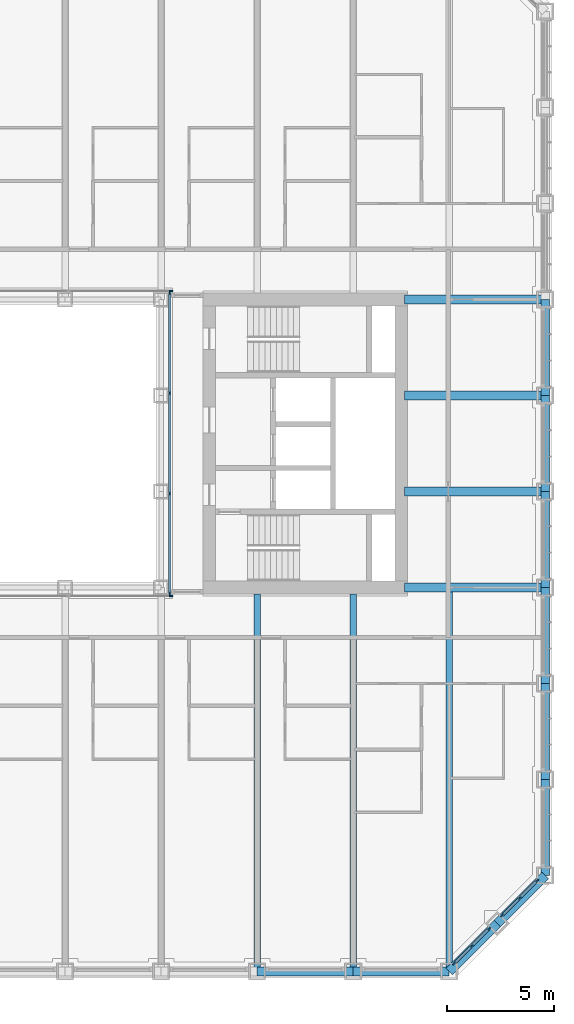
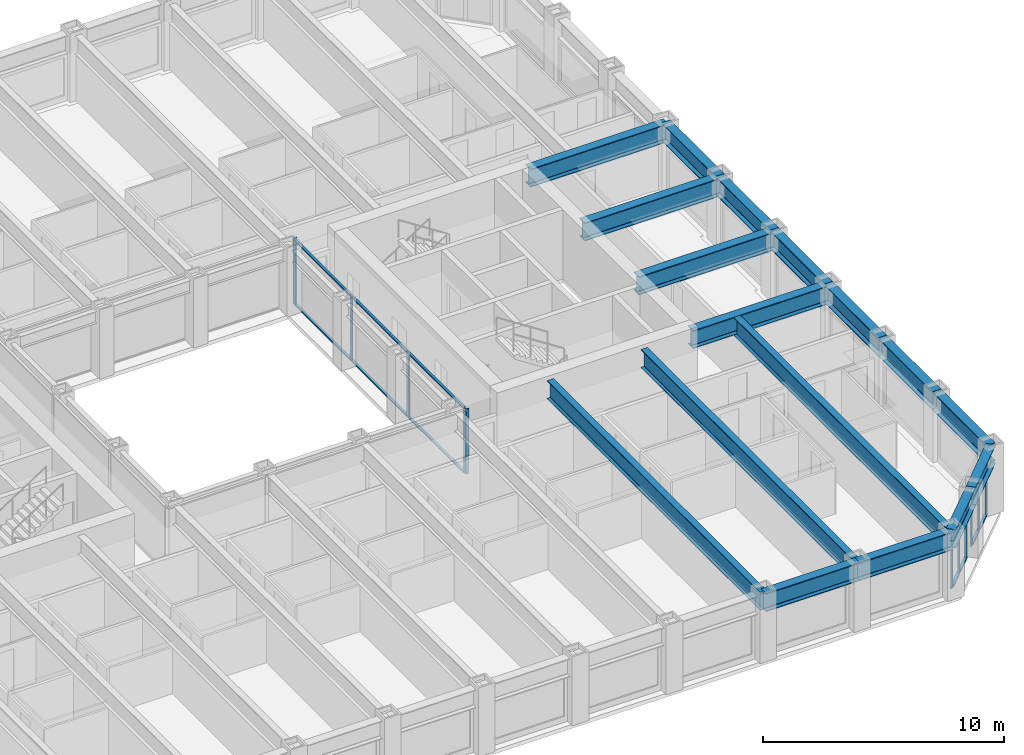
# One storey, part 5 of 21: 26 members, 17 beams, 5 elements without a shape of their own.
"""IFC4 building model written with IfcOpenShell, lengths in metres."""

from ifc_helpers import new_model, si_unit, direction, frame, origin, origin_2d, place, context, subcontext, project, spatial, rectangle, i_section, extrude, material, material_profile, profile_set, type_object, element, aggregate, save


model = new_model("IFC4")

# Units and contexts
model_context = context("Model", 3, precision=1e-05, world=origin(), true_north=direction((0.0, 1.0)))
body_context = subcontext(model_context, "Body", "Model", "MODEL_VIEW")
ifc_project = project(units=[si_unit("LENGTHUNIT", "METRE"), si_unit("AREAUNIT", "SQUARE_METRE"), si_unit("VOLUMEUNIT", "CUBIC_METRE"), si_unit("PLANEANGLEUNIT", "RADIAN"), si_unit("MASSUNIT", "GRAM", prefix="KILO")], contexts=[model_context])

# Site, building, storey
site_placement = place(None, origin())
site = spatial("IfcSite", under=ifc_project, at=site_placement, CompositionType="ELEMENT")
building_placement = place(site_placement, origin())
building = spatial("IfcBuilding", under=site, at=building_placement, Name="Msasa Ring Tower", CompositionType="ELEMENT")
storey_placement = place(building_placement, frame((0.0, 0.0, 30.0)))
storey = spatial("IfcBuildingStorey", under=building, at=storey_placement, Name="L06", CompositionType="ELEMENT", Elevation=30.0)

# Curtain wall, members
ifc_material_1 = material(Name="Aluminium curtain wall with clear glass", Category="aluminium")
curtain_wall_type_1 = type_object("IfcCurtainWallType", Name="CW-C CHAMFER CORNER CURTAIN WALL", PredefinedType="NOTDEFINED", material=ifc_material_1)
curtain_wall_1_placement = place(storey_placement, origin())
curtain_wall_1 = element("IfcCurtainWall", 1, at=curtain_wall_1_placement, inside=storey, type_object=curtain_wall_type_1, Name="Chamfer corner curtain wall SE L06", PredefinedType="NOTDEFINED")
ifc_material_2 = material(Name="Aluminium mullion", Category="aluminium")
ifc_material_profile_1 = material_profile(ifc_material_2, rectangle(XDim=0.06494140625, YDim=0.179931640625, at=origin_2d()), Name="AL 65x180")
ifc_profile_set_1 = profile_set([ifc_material_profile_1], Name="Aluminium mullion")
member_type_1 = type_object("IfcMemberType", Name="CW-C MULLION 65x180", PredefinedType="MULLION", material=ifc_profile_set_1)
member_1_placement = place(storey_placement, frame((20.48876953125, -24.369873046875, 0.0), z_axis=(0.0, 0.0, 1.0), x_axis=(-0.707106781187, 0.707106781187, 0.0)))
member_1 = element("IfcMember", 2, at=member_1_placement, type_object=member_type_1, Name="CW-C mullion 1", PredefinedType="MULLION", context=body_context, shape_type="SweptSolid", body=[
    extrude(rectangle(XDim=0.06494140625, YDim=0.179931640625, at=origin_2d()), origin(), (0.0, 0.0, 1.0), 2.37890625),
])
member_2_placement = place(storey_placement, frame((21.30419921875, -23.55419921875, 0.0), z_axis=(0.0, 0.0, 1.0), x_axis=(-0.707106781187, 0.707106781187, 0.0)))
member_2 = element("IfcMember", 3, at=member_2_placement, type_object=member_type_1, Name="CW-C mullion 2", PredefinedType="MULLION", context=body_context, shape_type="SweptSolid", body=[
    extrude(rectangle(XDim=0.06494140625, YDim=0.179931640625, at=origin_2d()), origin(), (0.0, 0.0, 1.0), 2.37890625),
])
member_3_placement = place(storey_placement, frame((22.119873046875, -22.73876953125, 0.0), z_axis=(0.0, 0.0, 1.0), x_axis=(-0.707106781187, 0.707106781187, 0.0)))
member_3 = element("IfcMember", 4, at=member_3_placement, type_object=member_type_1, Name="CW-C mullion 3", PredefinedType="MULLION", context=body_context, shape_type="SweptSolid", body=[
    extrude(rectangle(XDim=0.06494140625, YDim=0.179931640625, at=origin_2d()), origin(), (0.0, 0.0, 1.0), 2.37890625),
])

curtain_wall_2_placement = place(storey_placement, origin())
curtain_wall_2 = element("IfcCurtainWall", 5, at=curtain_wall_2_placement, inside=storey, type_object=curtain_wall_type_1, Name="Chamfer corner curtain wall SE L06", PredefinedType="NOTDEFINED")
member_4_placement = place(storey_placement, frame((22.73876953125, -22.119873046875, 0.0), z_axis=(0.0, 0.0, 1.0), x_axis=(-0.707106781187, 0.707106781187, 0.0)))
member_4 = element("IfcMember", 6, at=member_4_placement, type_object=member_type_1, Name="CW-C mullion 1", PredefinedType="MULLION", context=body_context, shape_type="SweptSolid", body=[
    extrude(rectangle(XDim=0.06494140625, YDim=0.179931640625, at=origin_2d()), origin(), (0.0, 0.0, 1.0), 2.37890625),
])
member_5_placement = place(storey_placement, frame((23.55419921875, -21.30419921875, 0.0), z_axis=(0.0, 0.0, 1.0), x_axis=(-0.707106781187, 0.707106781187, 0.0)))
member_5 = element("IfcMember", 7, at=member_5_placement, type_object=member_type_1, Name="CW-C mullion 2", PredefinedType="MULLION", context=body_context, shape_type="SweptSolid", body=[
    extrude(rectangle(XDim=0.06494140625, YDim=0.179931640625, at=origin_2d()), origin(), (0.0, 0.0, 1.0), 2.37890625),
])
member_6_placement = place(storey_placement, frame((24.369873046875, -20.48876953125, 0.0), z_axis=(0.0, 0.0, 1.0), x_axis=(-0.707106781187, 0.707106781187, 0.0)))
member_6 = element("IfcMember", 8, at=member_6_placement, type_object=member_type_1, Name="CW-C mullion 3", PredefinedType="MULLION", context=body_context, shape_type="SweptSolid", body=[
    extrude(rectangle(XDim=0.06494140625, YDim=0.179931640625, at=origin_2d()), origin(), (0.0, 0.0, 1.0), 2.37890625),
])

# Member
ifc_material_3 = material(Name="Aluminium transom", Category="aluminium")
ifc_material_profile_2 = material_profile(ifc_material_3, rectangle(XDim=0.139892578125, YDim=0.06494140625, at=origin_2d()), Name="AL 65x140")
ifc_profile_set_2 = profile_set([ifc_material_profile_2], Name="Aluminium transom")
member_type_2 = type_object("IfcMemberType", Name="CW-C TRANSOM 65x140", PredefinedType="USERDEFINED", material=ifc_profile_set_2)
member_7_placement = place(storey_placement, frame((20.51171875, -24.346923828125, 0.032470703125), z_axis=(0.707106781187, 0.707106781187, 0.0), x_axis=(-0.707106781187, 0.707106781187, 0.0)))
member_7 = element("IfcMember", 9, at=member_7_placement, type_object=member_type_2, Name="CW-C transom 1.1", ObjectType="TRANSOM", PredefinedType="USERDEFINED", context=body_context, shape_type="SweptSolid", body=[
    extrude(rectangle(XDim=0.139892578125, YDim=0.06494140625, at=origin_2d()), origin(), (0.0, 0.0, 1.0), 1.08837890625),
])

member_8_placement = place(storey_placement, frame((20.51171875, -24.346923828125, 2.346435546875), z_axis=(0.707106781187, 0.707106781187, 0.0), x_axis=(-0.707106781187, 0.707106781187, 0.0)))
member_8 = element("IfcMember", 10, at=member_8_placement, type_object=member_type_2, Name="CW-C transom 1.2", ObjectType="TRANSOM", PredefinedType="USERDEFINED", context=body_context, shape_type="SweptSolid", body=[
    extrude(rectangle(XDim=0.139892578125, YDim=0.06494140625, at=origin_2d()), origin(), (0.0, 0.0, 1.0), 1.08837890625),
])

member_9_placement = place(storey_placement, frame((21.327392578125, -23.53125, 0.032470703125), z_axis=(0.707106781187, 0.707106781187, 0.0), x_axis=(-0.707106781187, 0.707106781187, 0.0)))
member_9 = element("IfcMember", 11, at=member_9_placement, type_object=member_type_2, Name="CW-C transom 2.1", ObjectType="TRANSOM", PredefinedType="USERDEFINED", context=body_context, shape_type="SweptSolid", body=[
    extrude(rectangle(XDim=0.139892578125, YDim=0.06494140625, at=origin_2d()), origin(), (0.0, 0.0, 1.0), 1.08837890625),
])

member_10_placement = place(storey_placement, frame((21.327392578125, -23.53125, 2.346435546875), z_axis=(0.707106781187, 0.707106781187, 0.0), x_axis=(-0.707106781187, 0.707106781187, 0.0)))
member_10 = element("IfcMember", 12, at=member_10_placement, type_object=member_type_2, Name="CW-C transom 2.2", ObjectType="TRANSOM", PredefinedType="USERDEFINED", context=body_context, shape_type="SweptSolid", body=[
    extrude(rectangle(XDim=0.139892578125, YDim=0.06494140625, at=origin_2d()), origin(), (0.0, 0.0, 1.0), 1.08837890625),
])

aggregate(curtain_wall_1, [member_1, member_2, member_3, member_7, member_8, member_9, member_10])

member_11_placement = place(storey_placement, frame((22.76171875, -22.096923828125, 0.032470703125), z_axis=(0.707106781187, 0.707106781187, 0.0), x_axis=(-0.707106781187, 0.707106781187, 0.0)))
member_11 = element("IfcMember", 13, at=member_11_placement, type_object=member_type_2, Name="CW-C transom 1.1", ObjectType="TRANSOM", PredefinedType="USERDEFINED", context=body_context, shape_type="SweptSolid", body=[
    extrude(rectangle(XDim=0.139892578125, YDim=0.06494140625, at=origin_2d()), origin(), (0.0, 0.0, 1.0), 1.08837890625),
])

member_12_placement = place(storey_placement, frame((22.76171875, -22.096923828125, 2.346435546875), z_axis=(0.707106781187, 0.707106781187, 0.0), x_axis=(-0.707106781187, 0.707106781187, 0.0)))
member_12 = element("IfcMember", 14, at=member_12_placement, type_object=member_type_2, Name="CW-C transom 1.2", ObjectType="TRANSOM", PredefinedType="USERDEFINED", context=body_context, shape_type="SweptSolid", body=[
    extrude(rectangle(XDim=0.139892578125, YDim=0.06494140625, at=origin_2d()), origin(), (0.0, 0.0, 1.0), 1.08837890625),
])

member_13_placement = place(storey_placement, frame((23.577392578125, -21.28125, 0.032470703125), z_axis=(0.707106781187, 0.707106781187, 0.0), x_axis=(-0.707106781187, 0.707106781187, 0.0)))
member_13 = element("IfcMember", 15, at=member_13_placement, type_object=member_type_2, Name="CW-C transom 2.1", ObjectType="TRANSOM", PredefinedType="USERDEFINED", context=body_context, shape_type="SweptSolid", body=[
    extrude(rectangle(XDim=0.139892578125, YDim=0.06494140625, at=origin_2d()), origin(), (0.0, 0.0, 1.0), 1.08837890625),
])

member_14_placement = place(storey_placement, frame((23.577392578125, -21.28125, 2.346435546875), z_axis=(0.707106781187, 0.707106781187, 0.0), x_axis=(-0.707106781187, 0.707106781187, 0.0)))
member_14 = element("IfcMember", 16, at=member_14_placement, type_object=member_type_2, Name="CW-C transom 2.2", ObjectType="TRANSOM", PredefinedType="USERDEFINED", context=body_context, shape_type="SweptSolid", body=[
    extrude(rectangle(XDim=0.139892578125, YDim=0.06494140625, at=origin_2d()), origin(), (0.0, 0.0, 1.0), 1.08837890625),
])

aggregate(curtain_wall_2, [member_4, member_5, member_6, member_11, member_12, member_13, member_14])

# Curtain wall, member
ifc_material_4 = material(Name="Aluminium curtain wall with clear glass", Category="aluminium")
curtain_wall_type_2 = type_object("IfcCurtainWallType", Name="CW-W LIGHT WELL CURTAIN WALL", PredefinedType="NOTDEFINED", material=ifc_material_4)
curtain_wall_3_placement = place(storey_placement, origin())
curtain_wall_3 = element("IfcCurtainWall", 17, at=curtain_wall_3_placement, inside=storey, type_object=curtain_wall_type_2, Name="Light well curtain wall N L06", PredefinedType="NOTDEFINED")
ifc_material_5 = material(Name="Aluminium mullion", Category="aluminium")
ifc_material_profile_3 = material_profile(ifc_material_5, rectangle(XDim=0.06005859375, YDim=0.159912109375, at=origin_2d()), Name="AL 60x160")
ifc_profile_set_3 = profile_set([ifc_material_profile_3], Name="Aluminium mullion")
member_type_3 = type_object("IfcMemberType", Name="CW-W MULLION 60x160", PredefinedType="MULLION", material=ifc_profile_set_3)
member_15_placement = place(storey_placement, frame((7.199951171875, 7.14990234375, 0.0), z_axis=(0.0, 0.0, 1.0), x_axis=(0.0, 1.0, 0.0)))
member_15 = element("IfcMember", 18, at=member_15_placement, type_object=member_type_3, Name="CW-W mullion 4", PredefinedType="MULLION", context=body_context, shape_type="SweptSolid", body=[
    extrude(rectangle(XDim=0.06005859375, YDim=0.159912109375, at=origin_2d()), origin(), (0.0, 0.0, 1.0), 3.300048828125),
])
aggregate(curtain_wall_3, [member_15])

curtain_wall_4_placement = place(storey_placement, origin())
curtain_wall_4 = element("IfcCurtainWall", 19, at=curtain_wall_4_placement, inside=storey, type_object=curtain_wall_type_2, Name="Light well curtain wall S L06", PredefinedType="NOTDEFINED")
member_16_placement = place(storey_placement, frame((7.199951171875, -7.14990234375, 0.0), z_axis=(0.0, 0.0, 1.0), x_axis=(0.0, 1.0, 0.0)))
member_16 = element("IfcMember", 20, at=member_16_placement, type_object=member_type_3, Name="CW-W mullion 4", PredefinedType="MULLION", context=body_context, shape_type="SweptSolid", body=[
    extrude(rectangle(XDim=0.06005859375, YDim=0.159912109375, at=origin_2d()), origin(), (0.0, 0.0, 1.0), 3.300048828125),
])
aggregate(curtain_wall_4, [member_16])

# Curtain wall, members
curtain_wall_5_placement = place(storey_placement, origin())
curtain_wall_5 = element("IfcCurtainWall", 21, at=curtain_wall_5_placement, inside=storey, type_object=curtain_wall_type_2, Name="Light well curtain wall E L06", PredefinedType="NOTDEFINED")
member_17_placement = place(storey_placement, frame((7.14990234375, -7.0400390625, 0.0), z_axis=(0.0, 0.0, 1.0), x_axis=(-1.0, 0.0, 0.0)))
member_17 = element("IfcMember", 22, at=member_17_placement, type_object=member_type_3, Name="CW-W mullion 1", PredefinedType="MULLION", context=body_context, shape_type="SweptSolid", body=[
    extrude(rectangle(XDim=0.06005859375, YDim=0.159912109375, at=origin_2d()), origin(), (0.0, 0.0, 1.0), 3.300048828125),
])
member_18_placement = place(storey_placement, frame((7.14990234375, -2.356689453125, 0.0), z_axis=(0.0, 0.0, 1.0), x_axis=(-1.0, 0.0, 0.0)))
member_18 = element("IfcMember", 23, at=member_18_placement, type_object=member_type_3, Name="CW-W mullion 2", PredefinedType="MULLION", context=body_context, shape_type="SweptSolid", body=[
    extrude(rectangle(XDim=0.06005859375, YDim=0.159912109375, at=origin_2d()), origin(), (0.0, 0.0, 1.0), 3.300048828125),
])
member_19_placement = place(storey_placement, frame((7.14990234375, 2.356689453125, 0.0), z_axis=(0.0, 0.0, 1.0), x_axis=(-1.0, 0.0, 0.0)))
member_19 = element("IfcMember", 24, at=member_19_placement, type_object=member_type_3, Name="CW-W mullion 3", PredefinedType="MULLION", context=body_context, shape_type="SweptSolid", body=[
    extrude(rectangle(XDim=0.06005859375, YDim=0.159912109375, at=origin_2d()), origin(), (0.0, 0.0, 1.0), 3.300048828125),
])
member_20_placement = place(storey_placement, frame((7.14990234375, 7.0400390625, 0.0), z_axis=(0.0, 0.0, 1.0), x_axis=(-1.0, 0.0, 0.0)))
member_20 = element("IfcMember", 25, at=member_20_placement, type_object=member_type_3, Name="CW-W mullion 4", PredefinedType="MULLION", context=body_context, shape_type="SweptSolid", body=[
    extrude(rectangle(XDim=0.06005859375, YDim=0.159912109375, at=origin_2d()), origin(), (0.0, 0.0, 1.0), 3.300048828125),
])
ifc_material_6 = material(Name="Aluminium transom", Category="aluminium")
ifc_material_profile_4 = material_profile(ifc_material_6, rectangle(XDim=0.1201171875, YDim=0.06005859375, at=origin_2d()), Name="AL 60x120")
ifc_profile_set_4 = profile_set([ifc_material_profile_4], Name="Aluminium transom")
member_type_4 = type_object("IfcMemberType", Name="CW-W TRANSOM 60x120", PredefinedType="USERDEFINED", material=ifc_profile_set_4)
member_21_placement = place(storey_placement, frame((7.14990234375, -7.010009765625, 0.030029296875), z_axis=(0.0, 1.0, 0.0), x_axis=(-1.0, 0.0, 0.0)))
member_21 = element("IfcMember", 26, at=member_21_placement, type_object=member_type_4, Name="CW-W transom 1.1", ObjectType="TRANSOM", PredefinedType="USERDEFINED", context=body_context, shape_type="SweptSolid", body=[
    extrude(rectangle(XDim=0.1201171875, YDim=0.06005859375, at=origin_2d()), origin(), (0.0, 0.0, 1.0), 4.623291015625),
])
member_22_placement = place(storey_placement, frame((7.14990234375, -7.010009765625, 3.27001953125), z_axis=(0.0, 1.0, 0.0), x_axis=(-1.0, 0.0, 0.0)))
member_22 = element("IfcMember", 27, at=member_22_placement, type_object=member_type_4, Name="CW-W transom 1.2", ObjectType="TRANSOM", PredefinedType="USERDEFINED", context=body_context, shape_type="SweptSolid", body=[
    extrude(rectangle(XDim=0.1201171875, YDim=0.06005859375, at=origin_2d()), origin(), (0.0, 0.0, 1.0), 4.623291015625),
])
member_23_placement = place(storey_placement, frame((7.14990234375, -2.32666015625, 0.030029296875), z_axis=(0.0, 1.0, 0.0), x_axis=(-1.0, 0.0, 0.0)))
member_23 = element("IfcMember", 28, at=member_23_placement, type_object=member_type_4, Name="CW-W transom 2.1", ObjectType="TRANSOM", PredefinedType="USERDEFINED", context=body_context, shape_type="SweptSolid", body=[
    extrude(rectangle(XDim=0.1201171875, YDim=0.06005859375, at=origin_2d()), origin(), (0.0, 0.0, 1.0), 4.6533203125),
])
member_24_placement = place(storey_placement, frame((7.14990234375, -2.32666015625, 3.27001953125), z_axis=(0.0, 1.0, 0.0), x_axis=(-1.0, 0.0, 0.0)))
member_24 = element("IfcMember", 29, at=member_24_placement, type_object=member_type_4, Name="CW-W transom 2.2", ObjectType="TRANSOM", PredefinedType="USERDEFINED", context=body_context, shape_type="SweptSolid", body=[
    extrude(rectangle(XDim=0.1201171875, YDim=0.06005859375, at=origin_2d()), origin(), (0.0, 0.0, 1.0), 4.6533203125),
])
member_25_placement = place(storey_placement, frame((7.14990234375, 2.38671875, 0.030029296875), z_axis=(0.0, 1.0, 0.0), x_axis=(-1.0, 0.0, 0.0)))
member_25 = element("IfcMember", 30, at=member_25_placement, type_object=member_type_4, Name="CW-W transom 3.1", ObjectType="TRANSOM", PredefinedType="USERDEFINED", context=body_context, shape_type="SweptSolid", body=[
    extrude(rectangle(XDim=0.1201171875, YDim=0.06005859375, at=origin_2d()), origin(), (0.0, 0.0, 1.0), 4.623291015625),
])
member_26_placement = place(storey_placement, frame((7.14990234375, 2.38671875, 3.27001953125), z_axis=(0.0, 1.0, 0.0), x_axis=(-1.0, 0.0, 0.0)))
member_26 = element("IfcMember", 31, at=member_26_placement, type_object=member_type_4, Name="CW-W transom 3.2", ObjectType="TRANSOM", PredefinedType="USERDEFINED", context=body_context, shape_type="SweptSolid", body=[
    extrude(rectangle(XDim=0.1201171875, YDim=0.06005859375, at=origin_2d()), origin(), (0.0, 0.0, 1.0), 4.623291015625),
])
aggregate(curtain_wall_5, [member_17, member_18, member_19, member_20, member_21, member_22, member_23, member_24, member_25, member_26])

# Beams
ifc_material_7 = material(Name="Steel S355", Category="steel")
ifc_material_profile_5 = material_profile(ifc_material_7, i_section(OverallWidth=0.42041015625, OverallDepth=0.9208984375, WebThickness=0.021484375, FlangeThickness=0.03662109375, FilletRadius=0.024169921875, at=origin_2d()), Name="UB 914x419x388")
ifc_profile_set_5 = profile_set([ifc_material_profile_5], Name="Steel S355")
beam_type_1 = type_object("IfcBeamType", Name="FB2 UB 914x419x388", PredefinedType="BEAM", material=ifc_profile_set_5)
for number, where, z_axis, x_axis, name in (
    (32, (24.75, -2.25, 2.839599609375), (-1.0, 0.0, 0.0), (0.0, -1.0, 0.0), "Floor beam E -2.25 under L07"),
    (33, (24.75, 2.25, 2.839599609375), (-1.0, 0.0, 0.0), (0.0, -1.0, 0.0), "Floor beam E +2.25 under L07"),
):
    element("IfcBeam", number, at=place(storey_placement, frame(where, z_axis=z_axis, x_axis=x_axis)), inside=storey, type_object=beam_type_1, Name=name, PredefinedType="BEAM", context=body_context, shape_type="SweptSolid", body=[
        extrude(i_section(OverallWidth=0.42041015625, OverallDepth=0.9208984375, WebThickness=0.021484375, FlangeThickness=0.03662109375, FilletRadius=0.024169921875, at=origin_2d()), origin(), (0.0, 0.0, 1.0), 6.60009765625),
    ])
ifc_material_8 = material(Name="Steel S355", Category="steel")
ifc_material_profile_6 = material_profile(ifc_material_8, i_section(OverallWidth=0.3076171875, OverallDepth=0.926513671875, WebThickness=0.01953125, FlangeThickness=0.031982421875, FilletRadius=0.01904296875, at=origin_2d()), Name="UB 914x305x289")
ifc_profile_set_6 = profile_set([ifc_material_profile_6], Name="Steel S355")
beam_type_2 = type_object("IfcBeamType", Name="FB3 UB 914x305x289", PredefinedType="BEAM", material=ifc_profile_set_6)
for number, where, z_axis, x_axis, name in (
    (34, (11.25, -24.75, 2.836669921875), (0.0, 1.0, 0.0), (-1.0, 0.0, 0.0), "Floor beam S+11.25 under L07"),
    (35, (15.75, -24.75, 2.836669921875), (0.0, 1.0, 0.0), (-1.0, 0.0, 0.0), "Floor beam S+15.75 under L07"),
):
    element("IfcBeam", number, at=place(storey_placement, frame(where, z_axis=z_axis, x_axis=x_axis)), inside=storey, type_object=beam_type_2, Name=name, PredefinedType="BEAM", context=body_context, shape_type="SweptSolid", body=[
        extrude(i_section(OverallWidth=0.3076171875, OverallDepth=0.926513671875, WebThickness=0.01953125, FlangeThickness=0.031982421875, FilletRadius=0.01904296875, at=origin_2d()), origin(), (0.0, 0.0, 1.0), 17.699951171875),
    ])
beam_placement = place(storey_placement, frame((20.25, -24.75, 2.836669921875), z_axis=(0.0, 1.0, 0.0), x_axis=(-1.0, 0.0, 0.0)))
element("IfcBeam", 36, at=beam_placement, inside=storey, type_object=beam_type_2, Name="Floor beam S+20.25 under L07", PredefinedType="BEAM", context=body_context, shape_type="SweptSolid", body=[
    extrude(i_section(OverallWidth=0.3076171875, OverallDepth=0.926513671875, WebThickness=0.01953125, FlangeThickness=0.031982421875, FilletRadius=0.01904296875, at=origin_2d()), origin(), (0.0, 0.0, 1.0), 17.789794921875),
])
ifc_material_9 = material(Name="Steel S355", Category="steel")
ifc_material_profile_7 = material_profile(ifc_material_9, i_section(OverallWidth=0.42041015625, OverallDepth=0.9208984375, WebThickness=0.021484375, FlangeThickness=0.03662109375, FilletRadius=0.024169921875, at=origin_2d()), Name="UB 914x419x388")
ifc_profile_set_7 = profile_set([ifc_material_profile_7], Name="Steel S355")
beam_type_3 = type_object("IfcBeamType", Name="GB1 UB 914x419x388", PredefinedType="BEAM", material=ifc_profile_set_7)
for number, where, z_axis, x_axis, name in (
    (37, (18.14990234375, 6.75, 2.839599609375), (1.0, 0.0, 0.0), (0.0, 1.0, 0.0), "Girder E +6.75 under L07"),
    (38, (18.14990234375, -6.75, 2.839599609375), (1.0, 0.0, 0.0), (0.0, 1.0, 0.0), "Girder E -6.75 under L07"),
):
    element("IfcBeam", number, at=place(storey_placement, frame(where, z_axis=z_axis, x_axis=x_axis)), inside=storey, type_object=beam_type_3, Name=name, PredefinedType="BEAM", context=body_context, shape_type="SweptSolid", body=[
        extrude(i_section(OverallWidth=0.42041015625, OverallDepth=0.9208984375, WebThickness=0.021484375, FlangeThickness=0.03662109375, FilletRadius=0.024169921875, at=origin_2d()), origin(), (0.0, 0.0, 1.0), 6.60009765625),
    ])
ifc_material_10 = material(Name="Steel S355", Category="steel")
ifc_material_profile_8 = material_profile(ifc_material_10, i_section(OverallWidth=0.42041015625, OverallDepth=0.9208984375, WebThickness=0.021484375, FlangeThickness=0.03662109375, FilletRadius=0.024169921875, at=origin_2d()), Name="UB 914x419x388")
ifc_profile_set_8 = profile_set([ifc_material_profile_8], Name="Steel S355")
beam_type_4 = type_object("IfcBeamType", Name="SB1 UB 914x419x388", PredefinedType="SPANDREL", material=ifc_profile_set_8)
for number, where, z_axis, x_axis, name in (
    (39, (11.25, -24.75, 2.839599609375), (1.0, 0.0, 0.0), (0.0, 1.0, 0.0), "Spandrel S+11.25 to S+15.75 under L07"),
    (40, (15.75, -24.75, 2.839599609375), (1.0, 0.0, 0.0), (0.0, 1.0, 0.0), "Spandrel S+15.75 to S+20.25 under L07"),
):
    element("IfcBeam", number, at=place(storey_placement, frame(where, z_axis=z_axis, x_axis=x_axis)), inside=storey, type_object=beam_type_4, Name=name, PredefinedType="SPANDREL", context=body_context, shape_type="SweptSolid", body=[
        extrude(i_section(OverallWidth=0.42041015625, OverallDepth=0.9208984375, WebThickness=0.021484375, FlangeThickness=0.03662109375, FilletRadius=0.024169921875, at=origin_2d()), origin(), (0.0, 0.0, 1.0), 4.5),
    ])
for number, where, z_axis, x_axis, name in (
    (41, (20.25, -24.75, 2.839599609375), (0.707106781187, 0.707106781187, 0.0), (-0.707106781187, 0.707106781187, 0.0), "Spandrel S+20.25 to SE under L07"),
    (42, (22.5, -22.5, 2.839599609375), (0.707106781187, 0.707106781187, 0.0), (-0.707106781187, 0.707106781187, 0.0), "Spandrel SE to E-20.25 under L07"),
):
    element("IfcBeam", number, at=place(storey_placement, frame(where, z_axis=z_axis, x_axis=x_axis)), inside=storey, type_object=beam_type_4, Name=name, PredefinedType="SPANDREL", context=body_context, shape_type="SweptSolid", body=[
        extrude(i_section(OverallWidth=0.42041015625, OverallDepth=0.9208984375, WebThickness=0.021484375, FlangeThickness=0.03662109375, FilletRadius=0.024169921875, at=origin_2d()), origin(), (0.0, 0.0, 1.0), 3.181884765625),
    ])
for number, where, z_axis, x_axis, name in (
    (43, (24.75, -20.25, 2.839599609375), (0.0, 1.0, 0.0), (-1.0, 0.0, 0.0), "Spandrel E-20.25 to E-15.75 under L07"),
    (44, (24.75, -15.75, 2.839599609375), (0.0, 1.0, 0.0), (-1.0, 0.0, 0.0), "Spandrel E-15.75 to E-11.25 under L07"),
    (45, (24.75, -11.25, 2.839599609375), (0.0, 1.0, 0.0), (-1.0, 0.0, 0.0), "Spandrel E-11.25 to E-6.75 under L07"),
    (46, (24.75, -6.75, 2.839599609375), (0.0, 1.0, 0.0), (-1.0, 0.0, 0.0), "Spandrel E-6.75 to E-2.25 under L07"),
    (47, (24.75, -2.25, 2.839599609375), (0.0, 1.0, 0.0), (-1.0, 0.0, 0.0), "Spandrel E-2.25 to E+2.25 under L07"),
    (48, (24.75, 2.25, 2.839599609375), (0.0, 1.0, 0.0), (-1.0, 0.0, 0.0), "Spandrel E+2.25 to E+6.75 under L07"),
):
    element("IfcBeam", number, at=place(storey_placement, frame(where, z_axis=z_axis, x_axis=x_axis)), inside=storey, type_object=beam_type_4, Name=name, PredefinedType="SPANDREL", context=body_context, shape_type="SweptSolid", body=[
        extrude(i_section(OverallWidth=0.42041015625, OverallDepth=0.9208984375, WebThickness=0.021484375, FlangeThickness=0.03662109375, FilletRadius=0.024169921875, at=origin_2d()), origin(), (0.0, 0.0, 1.0), 4.5),
    ])

save(model, "model.ifc")
